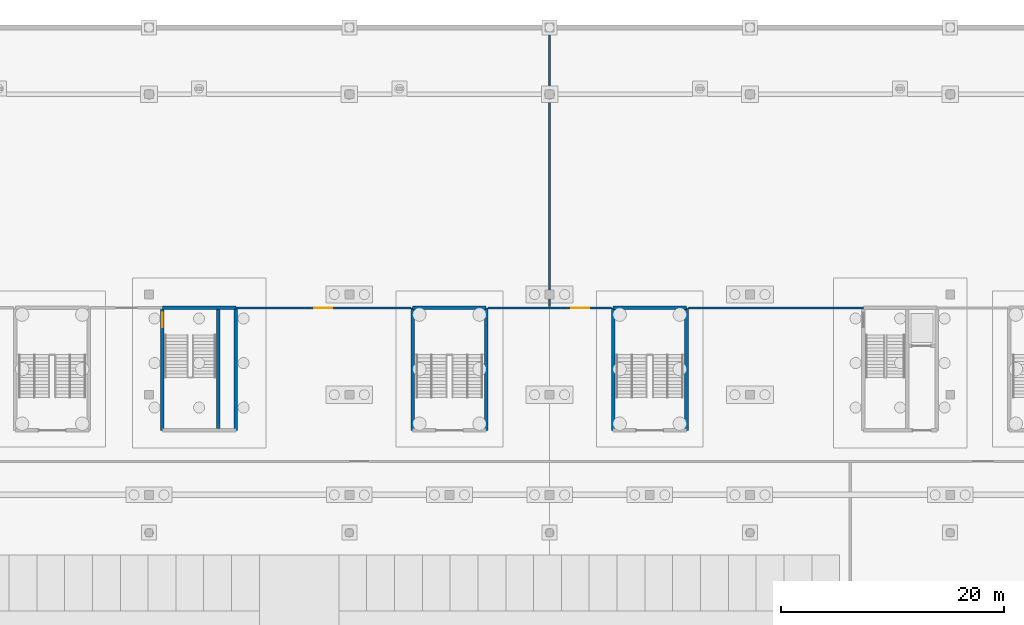
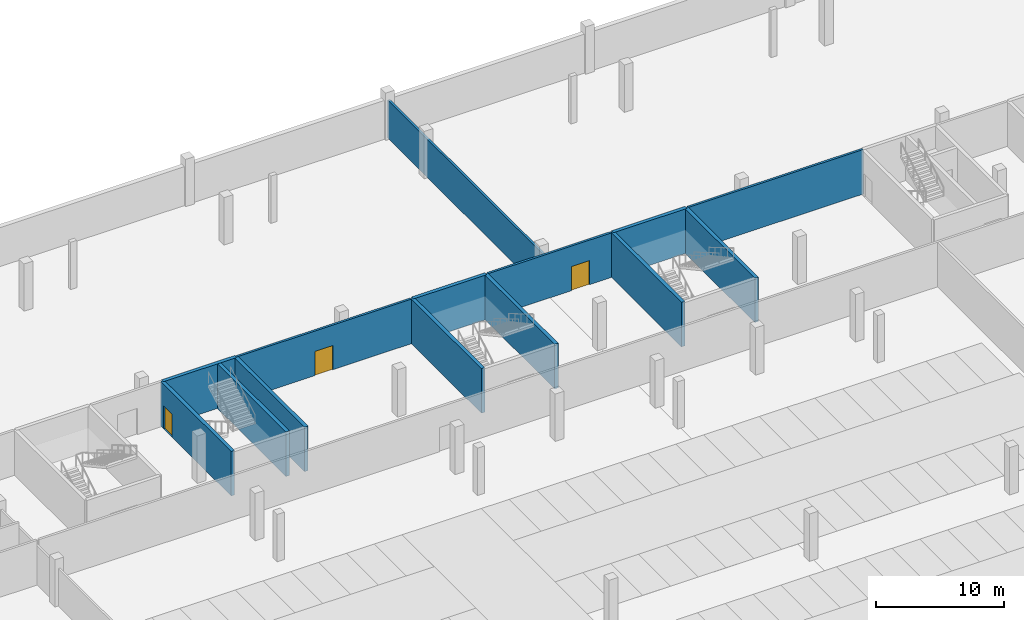
# One storey, part 20 of 46: 14 walls, 3 doors, 3 openings.
"""IFC4 building model written with IfcOpenShell, lengths in metres."""

from ifc_helpers import new_model, si_unit, direction, frame, frame_2d, origin, place, context, subcontext, project, spatial, rectangle, extrude, material, layer, layer_set, type_object, element, fill, save


model = new_model("IFC4")

# Units and contexts
model_context = context("Model", 3, precision=1e-05, world=origin(), true_north=direction((0.0, 1.0)))
body_context = subcontext(model_context, "Body", "Model", "MODEL_VIEW")
ifc_project = project(units=[si_unit("LENGTHUNIT", "METRE"), si_unit("AREAUNIT", "SQUARE_METRE"), si_unit("VOLUMEUNIT", "CUBIC_METRE"), si_unit("PLANEANGLEUNIT", "RADIAN"), si_unit("MASSUNIT", "GRAM", prefix="KILO")], contexts=[model_context])

# Site, building, storey
site_placement = place(None, origin())
site = spatial("IfcSite", under=ifc_project, at=site_placement, CompositionType="ELEMENT")
building_placement = place(site_placement, origin())
building = spatial("IfcBuilding", under=site, at=building_placement, Name="Kisiwana Market Hall", CompositionType="ELEMENT")
storey_placement = place(building_placement, frame((0.0, 0.0, -4.5)))
storey = spatial("IfcBuildingStorey", under=building, at=storey_placement, Name="B1", CompositionType="ELEMENT", Elevation=-4.5)

# Wall
ifc_material_1 = material(Name="Masonry blockwork", Category="masonry")
ifc_layer_1 = layer(ifc_material_1, 0.199951171875, Name="Plastered fire compartment block wall")
ifc_layer_set_1 = layer_set([ifc_layer_1], Name="WL-COMP-200")
wall_type_1 = type_object("IfcWallType", Name="WL-COMP-200", PredefinedType="PARTITIONING", material=ifc_layer_set_1)
wall_1_placement = place(storey_placement, frame((99.0, 100.909912109375, 0.0), z_axis=(0.0, 0.0, 1.0), x_axis=(0.0, 1.0, 0.0)))
element("IfcWall", 1, at=wall_1_placement, inside=storey, type_object=wall_type_1, Name="Interior partition W-0285", PredefinedType="PARTITIONING", context=body_context, shape_type="SweptSolid", body=[
    extrude(rectangle(XDim=24.880126953125, YDim=0.199951171875, at=frame_2d((12.43994140625, 0.0))), origin(), (0.0, 0.0, 1.0), 3.627685546875),
])

# Wall, opening, door
wall_2_placement = place(storey_placement, frame((70.800048828125, 100.800048828125, 0.0), z_axis=(0.0, 0.0, 1.0), x_axis=(1.0, 0.0, 0.0)))
wall_2 = element("IfcWall", 2, at=wall_2_placement, inside=storey, type_object=wall_type_1, Name="Interior partition W-0288", PredefinedType="PARTITIONING", context=body_context, shape_type="SweptSolid", body=[
    extrude(rectangle(XDim=15.739990234375, YDim=0.199951171875, at=frame_2d((7.8701171875, 0.0))), origin(), (0.0, 0.0, 1.0), 4.239990234375),
])
opening_1_placement = place(wall_2_placement, frame((7.070068359375, 0.0, 0.0)))
opening_1 = element("IfcOpeningElement", 3, at=opening_1_placement, cuts=wall_2, Name="Opening DR-B1-091", PredefinedType="OPENING", context=body_context, shape_type="SweptSolid", body=[
    extrude(rectangle(XDim=1.60009765625, YDim=2.300048828125, at=frame_2d((0.800048828125, 1.14990234375))), frame((0.0, 0.11181640625, 0.0), z_axis=(0.0, -1.0, 0.0), x_axis=(1.0, 0.0, 0.0)), (0.0, 0.0, 1.0), 0.223876953125),
])
ifc_material_2 = material(Name="Steel S275", Category="steel")
door_type_1 = type_object("IfcDoorType", Name="DR-PLANT-FD120-1600", OperationType="DOUBLE_DOOR_SINGLE_SWING", PredefinedType="DOOR", material=ifc_material_2)
door_1_placement = place(opening_1_placement, origin())
door_1 = element("IfcDoor", 4, at=door_1_placement, inside=storey, type_object=door_type_1, Name="B1 Chiller Plant Door", OperationType="DOUBLE_DOOR_SINGLE_SWING", OverallHeight=2.300048828125, OverallWidth=1.60009765625, PredefinedType="DOOR", context=body_context, shape_type="SweptSolid", body=[
    extrude(rectangle(XDim=1.60009765625, YDim=2.300048828125, at=frame_2d((0.800048828125, 1.14990234375))), frame((0.0, 0.02490234375, 0.0), z_axis=(0.0, -1.0, 0.0), x_axis=(1.0, 0.0, 0.0)), (0.0, 0.0, 1.0), 0.050048828125),
])
fill(opening_1, door_1)

wall_3_placement = place(storey_placement, frame((93.4599609375, 100.800048828125, 0.0), z_axis=(0.0, 0.0, 1.0), x_axis=(1.0, 0.0, 0.0)))
wall_3 = element("IfcWall", 5, at=wall_3_placement, inside=storey, type_object=wall_type_1, Name="Interior partition W-0289", PredefinedType="PARTITIONING", context=body_context, shape_type="SweptSolid", body=[
    extrude(rectangle(XDim=11.080078125, YDim=0.199951171875, at=frame_2d((5.5400390625, 0.0))), origin(), (0.0, 0.0, 1.0), 4.239990234375),
])
opening_2_placement = place(wall_3_placement, frame((7.489990234375, 0.0, 0.0)))
opening_2 = element("IfcOpeningElement", 6, at=opening_2_placement, cuts=wall_3, Name="Opening DR-B1-092", PredefinedType="OPENING", context=body_context, shape_type="SweptSolid", body=[
    extrude(rectangle(XDim=1.60009765625, YDim=2.300048828125, at=frame_2d((0.800048828125, 1.14990234375))), frame((0.0, 0.11181640625, 0.0), z_axis=(0.0, -1.0, 0.0), x_axis=(1.0, 0.0, 0.0)), (0.0, 0.0, 1.0), 0.223876953125),
])
door_2_placement = place(opening_2_placement, origin())
door_2 = element("IfcDoor", 7, at=door_2_placement, inside=storey, type_object=door_type_1, Name="B1 E Central Chiller and Sprinkler Pump Plant Room Door", OperationType="DOUBLE_DOOR_SINGLE_SWING", OverallHeight=2.300048828125, OverallWidth=1.60009765625, PredefinedType="DOOR", context=body_context, shape_type="SweptSolid", body=[
    extrude(rectangle(XDim=1.60009765625, YDim=2.300048828125, at=frame_2d((0.800048828125, 1.14990234375))), frame((0.0, 0.02490234375, 0.0), z_axis=(0.0, -1.0, 0.0), x_axis=(1.0, 0.0, 0.0)), (0.0, 0.0, 1.0), 0.050048828125),
])
fill(opening_2, door_2)

# Walls
wall_4_placement = place(storey_placement, frame((111.4599609375, 100.800048828125, 0.0), z_axis=(0.0, 0.0, 1.0), x_axis=(1.0, 0.0, 0.0)))
element("IfcWall", 8, at=wall_4_placement, inside=storey, type_object=wall_type_1, Name="Interior partition W-0290", PredefinedType="PARTITIONING", context=body_context, shape_type="SweptSolid", body=[
    extrude(rectangle(XDim=15.739990234375, YDim=0.199951171875, at=frame_2d((7.8701171875, 0.0))), origin(), (0.0, 0.0, 1.0), 4.239990234375),
])
ifc_material_3 = material(Name="Concrete C40/50", Category="concrete")
ifc_layer_2 = layer(ifc_material_3, 0.320068359375, Name="Reinforced concrete shaft wall")
ifc_layer_set_2 = layer_set([ifc_layer_2], Name="WL-CORE-320")
wall_type_2 = type_object("IfcWallType", Name="WL-CORE-320", PredefinedType="SHEAR", material=ifc_layer_set_2)
wall_5_placement = place(storey_placement, frame((64.199951171875, 100.800048828125, 0.0), z_axis=(0.0, 0.0, 1.0), x_axis=(1.0, 0.0, 0.0)))
element("IfcWall", 9, at=wall_5_placement, inside=storey, type_object=wall_type_2, Name="Core N1 north wall W-0049", PredefinedType="SHEAR", context=body_context, shape_type="SweptSolid", body=[
    extrude(rectangle(XDim=6.60009765625, YDim=0.320068359375, at=frame_2d((3.300048828125, 0.0))), origin(), (0.0, 0.0, 1.0), 4.239990234375),
])

# Wall, opening, door
wall_6_placement = place(storey_placement, frame((64.199951171875, 89.800048828125, 0.0), z_axis=(0.0, 0.0, 1.0), x_axis=(0.0, 1.0, 0.0)))
wall_6 = element("IfcWall", 10, at=wall_6_placement, inside=storey, type_object=wall_type_2, Name="Core N1 west wall W-0050", PredefinedType="SHEAR", context=body_context, shape_type="SweptSolid", body=[
    extrude(rectangle(XDim=11.0, YDim=0.320068359375, at=frame_2d((5.5, 0.0))), origin(), (0.0, 0.0, 1.0), 4.239990234375),
])
opening_3_placement = place(wall_6_placement, frame((9.25, 0.0, 0.0)))
opening_3 = element("IfcOpeningElement", 11, at=opening_3_placement, cuts=wall_6, Name="Opening DR-B1-016", PredefinedType="OPENING", context=body_context, shape_type="SweptSolid", body=[
    extrude(rectangle(XDim=1.300048828125, YDim=2.199951171875, at=frame_2d((0.64990234375, 1.10009765625))), frame((0.0, 0.171875, 0.0), z_axis=(0.0, -1.0, 0.0), x_axis=(1.0, 0.0, 0.0)), (0.0, 0.0, 1.0), 0.343994140625),
])
ifc_material_4 = material(Name="Steel S275", Category="steel")
door_type_2 = type_object("IfcDoorType", Name="DR-STAIR-FD120-1300", OperationType="NOTDEFINED", PredefinedType="DOOR", material=ifc_material_4)
door_3_placement = place(opening_3_placement, origin())
door_3 = element("IfcDoor", 12, at=door_3_placement, inside=storey, type_object=door_type_2, Name="Podium Escape Stair N1 Fire Door (B1)", OperationType="SINGLE_SWING_RIGHT", OverallHeight=2.199951171875, OverallWidth=1.300048828125, PredefinedType="DOOR", context=body_context, shape_type="SweptSolid", body=[
    extrude(rectangle(XDim=1.300048828125, YDim=2.199951171875, at=frame_2d((0.64990234375, 1.10009765625))), frame((0.0, 0.02490234375, 0.0), z_axis=(0.0, -1.0, 0.0), x_axis=(1.0, 0.0, 0.0)), (0.0, 0.0, 1.0), 0.050048828125),
])
fill(opening_3, door_3)

# Walls
wall_7_placement = place(storey_placement, frame((70.800048828125, 89.800048828125, 0.0), z_axis=(0.0, 0.0, 1.0), x_axis=(0.0, 1.0, 0.0)))
element("IfcWall", 13, at=wall_7_placement, inside=storey, type_object=wall_type_2, Name="Core N1 east wall W-0051", PredefinedType="SHEAR", context=body_context, shape_type="SweptSolid", body=[
    extrude(rectangle(XDim=11.0, YDim=0.320068359375, at=frame_2d((5.5, 0.0))), origin(), (0.0, 0.0, 1.0), 4.239990234375),
])
wall_8_placement = place(storey_placement, frame((69.219970703125, 89.9599609375, 0.0), z_axis=(0.0, 0.0, 1.0), x_axis=(0.0, 1.0, 0.0)))
element("IfcWall", 14, at=wall_8_placement, inside=storey, type_object=wall_type_2, Name="Core N1 shaft divider W-0052", PredefinedType="SHEAR", context=body_context, shape_type="SweptSolid", body=[
    extrude(rectangle(XDim=10.679931640625, YDim=0.320068359375, at=frame_2d((5.33984375, 0.0))), origin(), (0.0, 0.0, 1.0), 4.239990234375),
])
wall_9_placement = place(storey_placement, frame((86.699951171875, 100.800048828125, 0.0), z_axis=(0.0, 0.0, 1.0), x_axis=(1.0, 0.0, 0.0)))
element("IfcWall", 15, at=wall_9_placement, inside=storey, type_object=wall_type_2, Name="Core N4 outer shear wall W-0136", PredefinedType="SHEAR", context=body_context, shape_type="SweptSolid", body=[
    extrude(rectangle(XDim=6.60009765625, YDim=0.320068359375, at=frame_2d((3.300048828125, 0.0))), origin(), (0.0, 0.0, 1.0), 4.239990234375),
])
for number, where, z_axis, x_axis, name in (
    (16, (86.699951171875, 89.800048828125, 0.0), (0.0, 0.0, 1.0), (0.0, 1.0, 0.0), "Core N4 west shear wall W-0137"),
    (17, (93.300048828125, 89.800048828125, 0.0), (0.0, 0.0, 1.0), (0.0, 1.0, 0.0), "Core N4 east shear wall W-0138"),
):
    element("IfcWall", number, at=place(storey_placement, frame(where, z_axis=z_axis, x_axis=x_axis)), inside=storey, type_object=wall_type_2, Name=name, PredefinedType="SHEAR", context=body_context, shape_type="SweptSolid", body=[
        extrude(rectangle(XDim=11.0, YDim=0.320068359375, at=frame_2d((5.5, 0.0))), origin(), (0.0, 0.0, 1.0), 4.239990234375),
    ])
wall_10_placement = place(storey_placement, frame((104.699951171875, 100.800048828125, 0.0), z_axis=(0.0, 0.0, 1.0), x_axis=(1.0, 0.0, 0.0)))
element("IfcWall", 18, at=wall_10_placement, inside=storey, type_object=wall_type_2, Name="Core N5 outer shear wall W-0144", PredefinedType="SHEAR", context=body_context, shape_type="SweptSolid", body=[
    extrude(rectangle(XDim=6.60009765625, YDim=0.320068359375, at=frame_2d((3.300048828125, 0.0))), origin(), (0.0, 0.0, 1.0), 4.239990234375),
])
for number, where, z_axis, x_axis, name in (
    (19, (104.699951171875, 89.800048828125, 0.0), (0.0, 0.0, 1.0), (0.0, 1.0, 0.0), "Core N5 west shear wall W-0145"),
    (20, (111.300048828125, 89.800048828125, 0.0), (0.0, 0.0, 1.0), (0.0, 1.0, 0.0), "Core N5 east shear wall W-0146"),
):
    element("IfcWall", number, at=place(storey_placement, frame(where, z_axis=z_axis, x_axis=x_axis)), inside=storey, type_object=wall_type_2, Name=name, PredefinedType="SHEAR", context=body_context, shape_type="SweptSolid", body=[
        extrude(rectangle(XDim=11.0, YDim=0.320068359375, at=frame_2d((5.5, 0.0))), origin(), (0.0, 0.0, 1.0), 4.239990234375),
    ])

save(model, "model.ifc")
